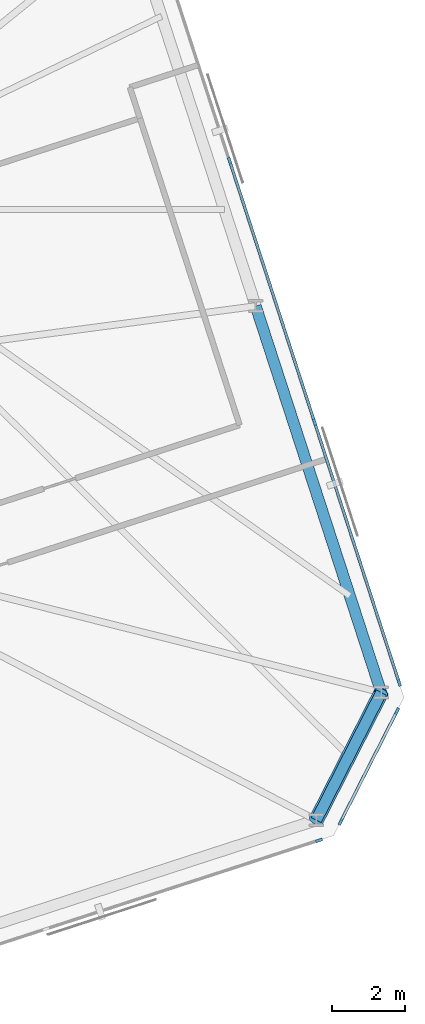
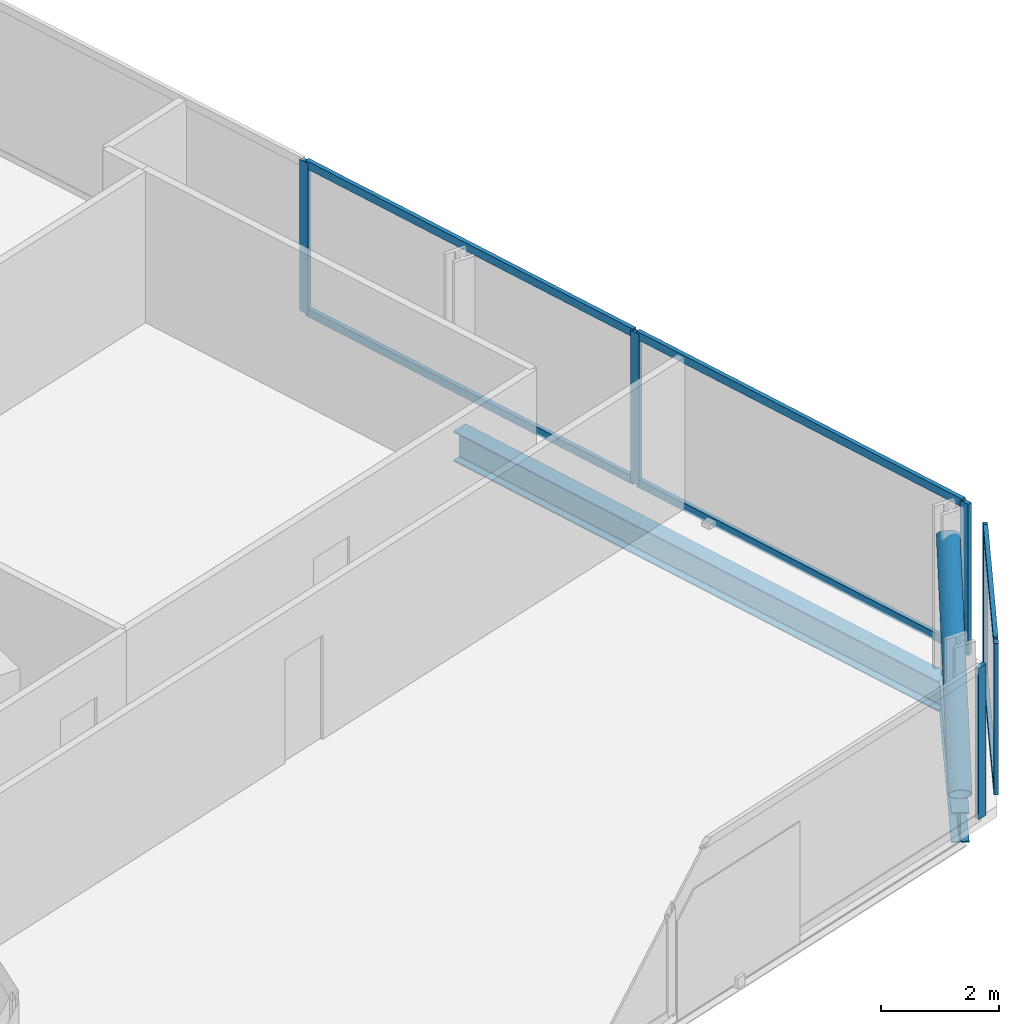
# One storey, part 11 of 19: 13 members, 2 beams, 3 elements without a shape of their own.
"""IFC4 building model written with IfcOpenShell, lengths in metres."""

from ifc_helpers import new_model, si_unit, direction, frame, origin, origin_2d, place, context, subcontext, project, spatial, rectangle, hollow_circle, i_section, extrude, material, material_profile, profile_set, type_object, element, aggregate, save


model = new_model("IFC4")

# Units and contexts
model_context = context("Model", 3, precision=1e-05, world=origin(), true_north=direction((0.0, 1.0)))
body_context = subcontext(model_context, "Body", "Model", "MODEL_VIEW")
ifc_project = project(units=[si_unit("LENGTHUNIT", "METRE"), si_unit("AREAUNIT", "SQUARE_METRE"), si_unit("VOLUMEUNIT", "CUBIC_METRE"), si_unit("PLANEANGLEUNIT", "RADIAN"), si_unit("MASSUNIT", "GRAM", prefix="KILO")], contexts=[model_context])

# Site, building, storey
site_placement = place(None, origin())
site = spatial("IfcSite", under=ifc_project, at=site_placement, CompositionType="ELEMENT")
building_placement = place(site_placement, origin())
building = spatial("IfcBuilding", under=site, at=building_placement, Name="Menara Jurai Vektor", CompositionType="ELEMENT")
storey_placement = place(building_placement, frame((0.0, 0.0, 231.0)))
storey = spatial("IfcBuildingStorey", under=building, at=storey_placement, Name="L61", CompositionType="ELEMENT", Elevation=231.0)

# Curtain wall, member
ifc_material_1 = material(Name="Anodised Pale Aluminium & Low-E Double Glazing", Category="aluminium")
curtain_wall_type = type_object("IfcCurtainWallType", Name="CW-BLK4", PredefinedType="NOTDEFINED", material=ifc_material_1)
curtain_wall_1_placement = place(storey_placement, origin())
curtain_wall_1 = element("IfcCurtainWall", 1, at=curtain_wall_1_placement, inside=storey, type_object=curtain_wall_type, Name="Unitised Curtain Wall L61 F07", PredefinedType="NOTDEFINED")
ifc_material_2 = material(Name="Anodised Pale Aluminium Mullion", Category="aluminium")
ifc_material_profile_1 = material_profile(ifc_material_2, rectangle(XDim=0.080078125, YDim=0.18994140625, at=origin_2d()), Name="ALU MUL 80x190")
ifc_profile_set_1 = profile_set([ifc_material_profile_1], Name="Anodised Pale Aluminium Mullion")
member_type_1 = type_object("IfcMemberType", Name="CW-BLK4-MUL", PredefinedType="MULLION", material=ifc_profile_set_1)
member_1_placement = place(storey_placement, frame((29.810546875, -12.698486328125, 0.0), z_axis=(0.0, 0.0, 1.0), x_axis=(-0.309017344167, 0.951056402641, 0.0)))
member_1 = element("IfcMember", 2, at=member_1_placement, type_object=member_type_1, Name="CW-04 mullion 8", PredefinedType="MULLION", context=body_context, shape_type="SweptSolid", body=[
    extrude(rectangle(XDim=0.080078125, YDim=0.18994140625, at=origin_2d()), origin(), (0.0, 0.0, 1.0), 3.125),
])
aggregate(curtain_wall_1, [member_1])

# Curtain wall, members
curtain_wall_2_placement = place(storey_placement, origin())
curtain_wall_2 = element("IfcCurtainWall", 3, at=curtain_wall_2_placement, inside=storey, type_object=curtain_wall_type, Name="Unitised Curtain Wall L61 F08", PredefinedType="NOTDEFINED")
member_2_placement = place(storey_placement, frame((30.400634765625, -12.194580078125, 0.0), z_axis=(0.0, 0.0, 1.0), x_axis=(-0.89100750243, 0.453988579828, 0.0)))
member_2 = element("IfcMember", 4, at=member_2_placement, type_object=member_type_1, Name="CW-04 mullion 1", PredefinedType="MULLION", context=body_context, shape_type="SweptSolid", body=[
    extrude(rectangle(XDim=0.080078125, YDim=0.18994140625, at=origin_2d()), origin(), (0.0, 0.0, 1.0), 3.125),
])
member_3_placement = place(storey_placement, frame((31.9453125, -9.16259765625, 0.0), z_axis=(0.0, 0.0, 1.0), x_axis=(-0.89100750243, 0.453988579828, 0.0)))
member_3 = element("IfcMember", 5, at=member_3_placement, type_object=member_type_1, Name="CW-04 mullion 2", PredefinedType="MULLION", context=body_context, shape_type="SweptSolid", body=[
    extrude(rectangle(XDim=0.080078125, YDim=0.18994140625, at=origin_2d()), origin(), (0.0, 0.0, 1.0), 3.125),
])

curtain_wall_3_placement = place(storey_placement, origin())
curtain_wall_3 = element("IfcCurtainWall", 6, at=curtain_wall_3_placement, inside=storey, type_object=curtain_wall_type, Name="Unitised Curtain Wall L61 F09", PredefinedType="NOTDEFINED")
member_4_placement = place(storey_placement, frame((32.00634765625, -8.388916015625, 0.0), z_axis=(0.0, 0.0, 1.0), x_axis=(-0.951056366365, -0.309017455812, 0.0)))
member_4 = element("IfcMember", 7, at=member_4_placement, type_object=member_type_1, Name="CW-04 mullion 1", PredefinedType="MULLION", context=body_context, shape_type="SweptSolid", body=[
    extrude(rectangle(XDim=0.080078125, YDim=0.18994140625, at=origin_2d()), origin(), (0.0, 0.0, 1.0), 3.125),
])
member_5_placement = place(storey_placement, frame((29.691650390625, -1.265625, 0.0), z_axis=(0.0, 0.0, 1.0), x_axis=(-0.951056366365, -0.309017455812, 0.0)))
member_5 = element("IfcMember", 8, at=member_5_placement, type_object=member_type_1, Name="CW-04 mullion 2", PredefinedType="MULLION", context=body_context, shape_type="SweptSolid", body=[
    extrude(rectangle(XDim=0.080078125, YDim=0.18994140625, at=origin_2d()), origin(), (0.0, 0.0, 1.0), 3.125),
])
member_6_placement = place(storey_placement, frame((27.36474609375, 5.89599609375, 0.0), z_axis=(0.0, 0.0, 1.0), x_axis=(-0.951056366365, -0.309017455812, 0.0)))
member_6 = element("IfcMember", 9, at=member_6_placement, type_object=member_type_1, Name="CW-04 mullion 3", PredefinedType="MULLION", context=body_context, shape_type="SweptSolid", body=[
    extrude(rectangle(XDim=0.080078125, YDim=0.18994140625, at=origin_2d()), origin(), (0.0, 0.0, 1.0), 3.125),
])

# Member
ifc_material_3 = material(Name="Anodised Pale Aluminium Transom", Category="aluminium")
ifc_material_profile_2 = material_profile(ifc_material_3, rectangle(XDim=0.080078125, YDim=0.1650390625, at=origin_2d()), Name="ALU TRN 80x165")
ifc_profile_set_2 = profile_set([ifc_material_profile_2], Name="Anodised Pale Aluminium Transom")
member_type_2 = type_object("IfcMemberType", Name="CW-BLK4-TRN", PredefinedType="USERDEFINED", material=ifc_profile_set_2)
member_7_placement = place(storey_placement, frame((30.418701171875, -12.158935546875, 0.0400390625), z_axis=(0.453989617444, 0.89100697374, 0.0), x_axis=(-0.89100697374, 0.453989617444, 0.0)))
member_7 = element("IfcMember", 10, at=member_7_placement, type_object=member_type_2, Name="CW-04 transom 1.1", ObjectType="TRANSOM", PredefinedType="USERDEFINED", context=body_context, shape_type="SweptSolid", body=[
    extrude(rectangle(XDim=0.080078125, YDim=0.1650390625, at=origin_2d()), origin(), (0.0, 0.0, 1.0), 3.32275390625),
])

member_8_placement = place(storey_placement, frame((30.418701171875, -12.158935546875, 3.0849609375), z_axis=(0.453989617444, 0.89100697374, 0.0), x_axis=(-0.89100697374, 0.453989617444, 0.0)))
member_8 = element("IfcMember", 11, at=member_8_placement, type_object=member_type_2, Name="CW-04 transom 1.2", ObjectType="TRANSOM", PredefinedType="USERDEFINED", context=body_context, shape_type="SweptSolid", body=[
    extrude(rectangle(XDim=0.080078125, YDim=0.1650390625, at=origin_2d()), origin(), (0.0, 0.0, 1.0), 3.32275390625),
])

aggregate(curtain_wall_2, [member_2, member_3, member_7, member_8])

member_9_placement = place(storey_placement, frame((31.993896484375, -8.350830078125, 0.0400390625), z_axis=(-0.309022745224, 0.951054647712, 0.0), x_axis=(-0.951054647712, -0.309022745224, 0.0)))
member_9 = element("IfcMember", 12, at=member_9_placement, type_object=member_type_2, Name="CW-04 transom 1.1", ObjectType="TRANSOM", PredefinedType="USERDEFINED", context=body_context, shape_type="SweptSolid", body=[
    extrude(rectangle(XDim=0.080078125, YDim=0.1650390625, at=origin_2d()), origin(), (0.0, 0.0, 1.0), 7.409912109375),
])

member_10_placement = place(storey_placement, frame((31.993896484375, -8.350830078125, 3.0849609375), z_axis=(-0.309022745224, 0.951054647712, 0.0), x_axis=(-0.951054647712, -0.309022745224, 0.0)))
member_10 = element("IfcMember", 13, at=member_10_placement, type_object=member_type_2, Name="CW-04 transom 1.2", ObjectType="TRANSOM", PredefinedType="USERDEFINED", context=body_context, shape_type="SweptSolid", body=[
    extrude(rectangle(XDim=0.080078125, YDim=0.1650390625, at=origin_2d()), origin(), (0.0, 0.0, 1.0), 7.409912109375),
])

member_11_placement = place(storey_placement, frame((29.679443359375, -1.2275390625, 0.0400390625), z_axis=(-0.309022346796, 0.951054777171, 0.0), x_axis=(-0.951054777171, -0.309022346796, 0.0)))
member_11 = element("IfcMember", 14, at=member_11_placement, type_object=member_type_2, Name="CW-04 transom 2.1", ObjectType="TRANSOM", PredefinedType="USERDEFINED", context=body_context, shape_type="SweptSolid", body=[
    extrude(rectangle(XDim=0.080078125, YDim=0.1650390625, at=origin_2d()), origin(), (0.0, 0.0, 1.0), 7.4501953125),
])

member_12_placement = place(storey_placement, frame((29.679443359375, -1.2275390625, 3.0849609375), z_axis=(-0.309022346796, 0.951054777171, 0.0), x_axis=(-0.951054777171, -0.309022346796, 0.0)))
member_12 = element("IfcMember", 15, at=member_12_placement, type_object=member_type_2, Name="CW-04 transom 2.2", ObjectType="TRANSOM", PredefinedType="USERDEFINED", context=body_context, shape_type="SweptSolid", body=[
    extrude(rectangle(XDim=0.080078125, YDim=0.1650390625, at=origin_2d()), origin(), (0.0, 0.0, 1.0), 7.4501953125),
])

aggregate(curtain_wall_3, [member_4, member_5, member_6, member_9, member_10, member_11, member_12])

ifc_material_4 = material(Name="Steel S460", Category="steel")
ifc_material_profile_3 = material_profile(ifc_material_4, hollow_circle(Radius=0.203125, WallThickness=0.01611328125, at=origin_2d()), Name="CHS 406.4x16")
ifc_profile_set_3 = profile_set([ifc_material_profile_3], Name="Steel S460")
member_type_3 = type_object("IfcMemberType", Name="STR-BR-406", PredefinedType="BRACE", material=ifc_profile_set_3)
member_13_placement = place(storey_placement, frame((29.733642578125, -12.14501953125, 0.14990234375), z_axis=(0.377239531316, 0.740351985533, 0.55638949804), x_axis=(-0.891000997215, 0.454001346872, 0.0)))
element("IfcMember", 16, at=member_13_placement, inside=storey, type_object=member_type_3, Name="Exoskeleton Corner Brace L61-1", PredefinedType="BRACE", context=body_context, shape_type="SweptSolid", body=[
    extrude(hollow_circle(Radius=0.203125, WallThickness=0.01611328125, at=origin_2d()), origin(), (0.0, 0.0, 1.0), 4.718017578125),
])

# Beams
ifc_material_5 = material(Name="Steel S355", Category="steel")
ifc_material_profile_4 = material_profile(ifc_material_5, i_section(OverallWidth=0.306884765625, OverallDepth=0.6201171875, WebThickness=0.013916015625, FlangeThickness=0.02392578125, FilletRadius=0.01708984375, at=origin_2d()), Name="UKB 610x305x179")
ifc_profile_set_4 = profile_set([ifc_material_profile_4], Name="Steel S355")
beam_type = type_object("IfcBeamType", Name="STR-SP-610", PredefinedType="SPANDREL", material=ifc_profile_set_4)
beam_1_placement = place(storey_placement, frame((29.7333984375, -12.14501953125, -0.534912109375), z_axis=(0.454050785633, 0.890975804423, 0.0), x_axis=(-0.890975804423, 0.454050785633, 0.0)))
element("IfcBeam", 17, at=beam_1_placement, inside=storey, type_object=beam_type, Name="Exoskeleton Spandrel Beam L61-06", PredefinedType="SPANDREL", context=body_context, shape_type="SweptSolid", body=[
    extrude(i_section(OverallWidth=0.306884765625, OverallDepth=0.6201171875, WebThickness=0.013916015625, FlangeThickness=0.02392578125, FilletRadius=0.01708984375, at=origin_2d()), origin(), (0.0, 0.0, 1.0), 3.92041015625),
])
beam_2_placement = place(storey_placement, frame((31.513427734375, -8.652099609375, -0.534912109375), z_axis=(-0.309012092614, 0.95105810896, 0.0), x_axis=(-0.95105810896, -0.309012092614, 0.0)))
element("IfcBeam", 18, at=beam_2_placement, inside=storey, type_object=beam_type, Name="Exoskeleton Spandrel Beam L61-07", PredefinedType="SPANDREL", context=body_context, shape_type="SweptSolid", body=[
    extrude(i_section(OverallWidth=0.306884765625, OverallDepth=0.6201171875, WebThickness=0.013916015625, FlangeThickness=0.02392578125, FilletRadius=0.01708984375, at=origin_2d()), origin(), (0.0, 0.0, 1.0), 11.11865234375),
])

save(model, "model.ifc")
